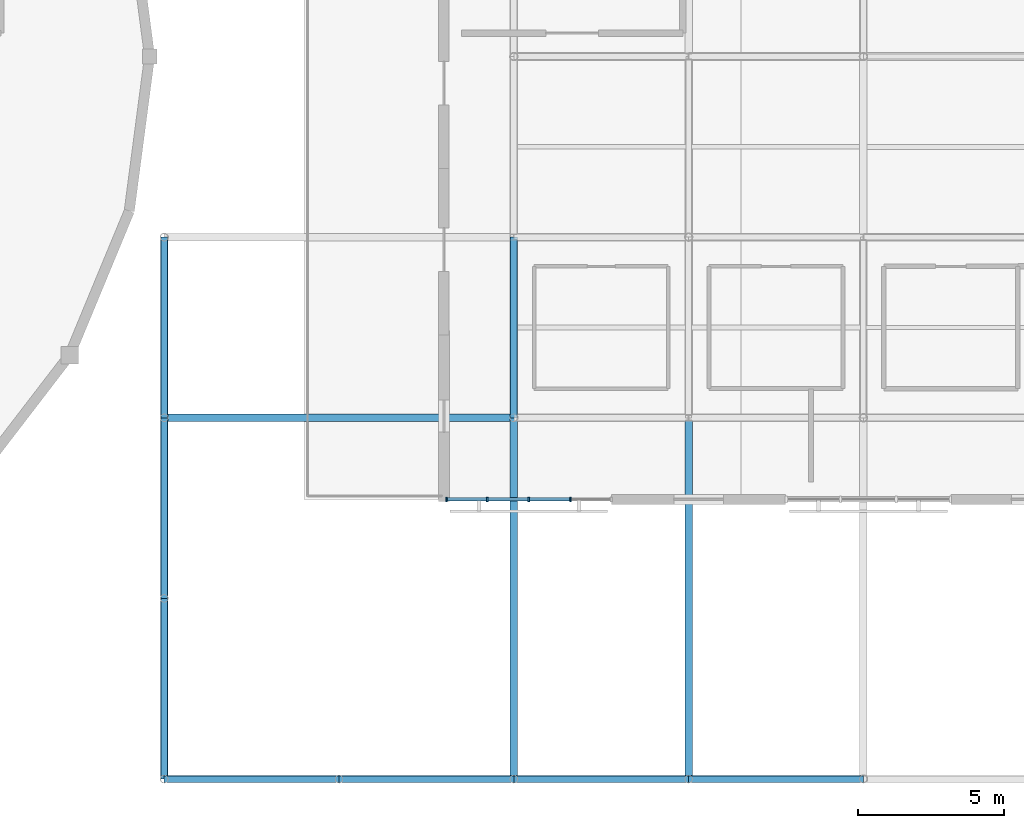
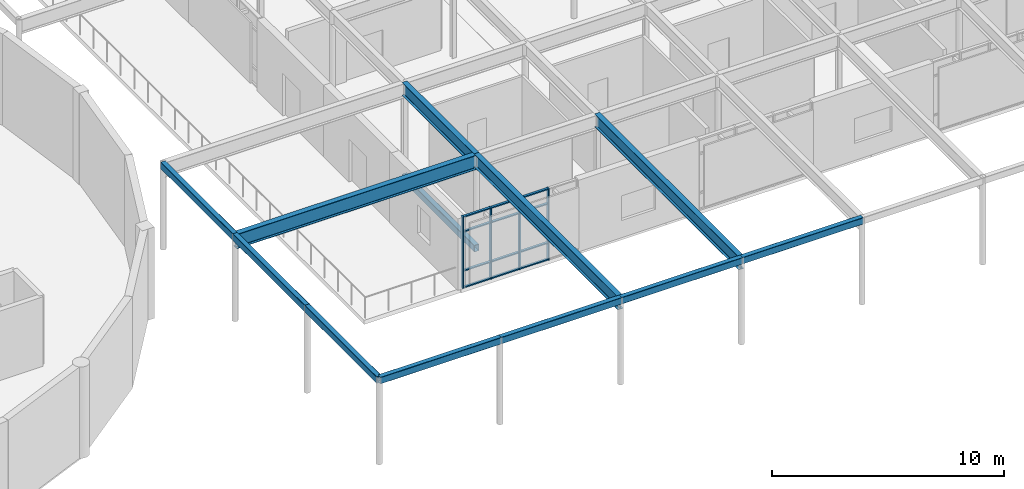
# One storey, part 21 of 48: 16 members, 12 beams, 1 element without a shape of its own.
"""IFC4 building model written with IfcOpenShell, lengths in metres."""

from ifc_helpers import new_model, si_unit, direction, frame, origin, origin_2d, place, context, subcontext, project, spatial, rectangle, hollow_rectangle, i_section, extrude, material, layer, layer_set, material_profile, profile_set, type_object, element, aggregate, save


model = new_model("IFC4")

# Units and contexts
model_context = context("Model", 3, precision=1e-05, world=origin(), true_north=direction((0.0, 1.0)))
body_context = subcontext(model_context, "Body", "Model", "MODEL_VIEW")
ifc_project = project(units=[si_unit("LENGTHUNIT", "METRE"), si_unit("AREAUNIT", "SQUARE_METRE"), si_unit("VOLUMEUNIT", "CUBIC_METRE"), si_unit("PLANEANGLEUNIT", "RADIAN"), si_unit("MASSUNIT", "GRAM", prefix="KILO")], contexts=[model_context])

# Site, building, storey
site_placement = place(None, origin())
site = spatial("IfcSite", under=ifc_project, at=site_placement, CompositionType="ELEMENT")
building_placement = place(site_placement, origin())
building = spatial("IfcBuilding", under=site, at=building_placement, Name="Mirzam Square Science Centre", CompositionType="ELEMENT")
storey_placement = place(building_placement, frame((0.0, 0.0, 20.39990234375)))
storey = spatial("IfcBuildingStorey", under=building, at=storey_placement, Name="L04", CompositionType="ELEMENT", Elevation=20.39990234375)

# Beams
ifc_material_1 = material(Name="Steel S355", Category="steel")
ifc_material_profile_1 = material_profile(ifc_material_1, i_section(OverallWidth=0.25439453125, OverallDepth=0.6875, WebThickness=0.01318359375, FlangeThickness=0.02099609375, FilletRadius=0.01513671875, at=origin_2d()), Name="686x254x152UB")
ifc_profile_set_1 = profile_set([ifc_material_profile_1], Name="Steel S355")
beam_type_1 = type_object("IfcBeamType", Name="BM-UB686", PredefinedType="BEAM", material=ifc_profile_set_1)
beam_1_placement = place(storey_placement, frame((114.0, 37.199951171875, 4.226318359375), z_axis=(0.0, 1.0, 0.0), x_axis=(-1.0, 0.0, 0.0)))
element("IfcBeam", 1, at=beam_1_placement, inside=storey, type_object=beam_type_1, Name="Parasol roof girder X20 Y7-9", PredefinedType="BEAM", context=body_context, shape_type="SweptSolid", body=[
    extrude(i_section(OverallWidth=0.25439453125, OverallDepth=0.6875, WebThickness=0.01318359375, FlangeThickness=0.02099609375, FilletRadius=0.01513671875, at=origin_2d()), origin(), (0.0, 0.0, 1.0), 12.400146484375),
])
beam_2_placement = place(storey_placement, frame((114.0, 49.60009765625, 4.226318359375), z_axis=(0.0, 1.0, 0.0), x_axis=(-1.0, 0.0, 0.0)))
element("IfcBeam", 2, at=beam_2_placement, inside=storey, type_object=beam_type_1, Name="Parasol roof girder X20 Y9-10", PredefinedType="BEAM", context=body_context, shape_type="SweptSolid", body=[
    extrude(i_section(OverallWidth=0.25439453125, OverallDepth=0.6875, WebThickness=0.01318359375, FlangeThickness=0.02099609375, FilletRadius=0.01513671875, at=origin_2d()), origin(), (0.0, 0.0, 1.0), 6.199951171875),
])
beam_3_placement = place(storey_placement, frame((120.0, 37.199951171875, 4.226318359375), z_axis=(0.0, 1.0, 0.0), x_axis=(-1.0, 0.0, 0.0)))
element("IfcBeam", 3, at=beam_3_placement, inside=storey, type_object=beam_type_1, Name="Parasol roof girder X21 Y7-9", PredefinedType="BEAM", context=body_context, shape_type="SweptSolid", body=[
    extrude(i_section(OverallWidth=0.25439453125, OverallDepth=0.6875, WebThickness=0.01318359375, FlangeThickness=0.02099609375, FilletRadius=0.01513671875, at=origin_2d()), origin(), (0.0, 0.0, 1.0), 12.400146484375),
])
ifc_material_profile_2 = material_profile(ifc_material_1, i_section(OverallWidth=0.2666015625, OverallDepth=0.76220703125, WebThickness=0.014404296875, FlangeThickness=0.021484375, FilletRadius=0.0166015625, at=origin_2d()), Name="762x267x173UB")
ifc_profile_set_2 = profile_set([ifc_material_profile_2], Name="Steel S355")
beam_type_2 = type_object("IfcBeamType", Name="BM-UB762", PredefinedType="BEAM", material=ifc_profile_set_2)
beam_4_placement = place(storey_placement, frame((102.0, 49.60009765625, 4.18896484375), z_axis=(1.0, 0.0, 0.0), x_axis=(0.0, 1.0, 0.0)))
element("IfcBeam", 4, at=beam_4_placement, inside=storey, type_object=beam_type_2, Name="Parasol roof girder Y9 X18-20", PredefinedType="BEAM", context=body_context, shape_type="SweptSolid", body=[
    extrude(i_section(OverallWidth=0.2666015625, OverallDepth=0.76220703125, WebThickness=0.014404296875, FlangeThickness=0.021484375, FilletRadius=0.0166015625, at=origin_2d()), origin(), (0.0, 0.0, 1.0), 12.0),
])

# Curtain wall, members
ifc_material_2 = material(Name="Anodised Aluminium and Low-E Solar Glass", Category="aluminium")
ifc_layer = layer(ifc_material_2, 0.159912109375)
ifc_layer_set = layer_set([ifc_layer], Name="CW-COURT-B")
curtain_wall_type = type_object("IfcCurtainWallType", Name="CW-COURT-B", PredefinedType="USERDEFINED", material=ifc_layer_set)
curtain_wall_placement = place(storey_placement, origin())
curtain_wall = element("IfcCurtainWall", 5, at=curtain_wall_placement, inside=storey, type_object=curtain_wall_type, Name="L04 unitised curtain wall 146", ObjectType="UNITISED CURTAIN WALL", PredefinedType="USERDEFINED")
ifc_material_3 = material(Name="Anodised Architectural Aluminium 6063-T6", Category="aluminium")
ifc_material_profile_3 = material_profile(ifc_material_3, rectangle(XDim=0.06005859375, YDim=0.159912109375, at=origin_2d()), Name="ALU-MULL-160x60x4")
ifc_profile_set_3 = profile_set([ifc_material_profile_3], Name="Anodised Architectural Aluminium 6063-T6")
member_type_1 = type_object("IfcMemberType", Name="CWM-160", PredefinedType="MULLION", material=ifc_profile_set_3)
member_1_placement = place(storey_placement, frame((111.68505859375, 46.800048828125, 0.0), z_axis=(0.0, 0.0, 1.0), x_axis=(1.0, 0.0, 0.0)))
member_1 = element("IfcMember", 6, at=member_1_placement, type_object=member_type_1, Name="CW-04 mullion 1", PredefinedType="MULLION", context=body_context, shape_type="SweptSolid", body=[
    extrude(rectangle(XDim=0.06005859375, YDim=0.159912109375, at=origin_2d()), origin(), (0.0, 0.0, 1.0), 3.760009765625),
])
member_2_placement = place(storey_placement, frame((113.084716796875, 46.800048828125, 0.0), z_axis=(0.0, 0.0, 1.0), x_axis=(1.0, 0.0, 0.0)))
member_2 = element("IfcMember", 7, at=member_2_placement, type_object=member_type_1, Name="CW-04 mullion 2", PredefinedType="MULLION", context=body_context, shape_type="SweptSolid", body=[
    extrude(rectangle(XDim=0.06005859375, YDim=0.159912109375, at=origin_2d()), origin(), (0.0, 0.0, 1.0), 3.760009765625),
])
member_3_placement = place(storey_placement, frame((114.514404296875, 46.800048828125, 0.0), z_axis=(0.0, 0.0, 1.0), x_axis=(1.0, 0.0, 0.0)))
member_3 = element("IfcMember", 8, at=member_3_placement, type_object=member_type_1, Name="CW-04 mullion 3", PredefinedType="MULLION", context=body_context, shape_type="SweptSolid", body=[
    extrude(rectangle(XDim=0.06005859375, YDim=0.159912109375, at=origin_2d()), origin(), (0.0, 0.0, 1.0), 3.760009765625),
])
member_4_placement = place(storey_placement, frame((115.94384765625, 46.800048828125, 0.0), z_axis=(0.0, 0.0, 1.0), x_axis=(1.0, 0.0, 0.0)))
member_4 = element("IfcMember", 9, at=member_4_placement, type_object=member_type_1, Name="CW-04 mullion 4", PredefinedType="MULLION", context=body_context, shape_type="SweptSolid", body=[
    extrude(rectangle(XDim=0.06005859375, YDim=0.159912109375, at=origin_2d()), origin(), (0.0, 0.0, 1.0), 3.760009765625),
])
ifc_material_profile_4 = material_profile(ifc_material_3, rectangle(XDim=0.1201171875, YDim=0.06005859375, at=origin_2d()), Name="ALU-TRAN-120x60x4")
ifc_profile_set_4 = profile_set([ifc_material_profile_4], Name="Anodised Architectural Aluminium 6063-T6")
member_type_2 = type_object("IfcMemberType", Name="CWT-120", PredefinedType="USERDEFINED", material=ifc_profile_set_4)
member_5_placement = place(storey_placement, frame((111.715087890625, 46.800048828125, 0.030029296875), z_axis=(1.0, 0.0, 0.0), x_axis=(0.0, 1.0, 0.0)))
member_5 = element("IfcMember", 10, at=member_5_placement, type_object=member_type_2, Name="CW-04 transom 1.1", ObjectType="TRANSOM", PredefinedType="USERDEFINED", context=body_context, shape_type="SweptSolid", body=[
    extrude(rectangle(XDim=0.1201171875, YDim=0.06005859375, at=origin_2d()), origin(), (0.0, 0.0, 1.0), 1.339599609375),
])
member_6_placement = place(storey_placement, frame((111.715087890625, 46.800048828125, 0.900146484375), z_axis=(1.0, 0.0, 0.0), x_axis=(0.0, 1.0, 0.0)))
member_6 = element("IfcMember", 11, at=member_6_placement, type_object=member_type_2, Name="CW-04 transom 1.2", ObjectType="TRANSOM", PredefinedType="USERDEFINED", context=body_context, shape_type="SweptSolid", body=[
    extrude(rectangle(XDim=0.1201171875, YDim=0.06005859375, at=origin_2d()), origin(), (0.0, 0.0, 1.0), 1.339599609375),
])
member_7_placement = place(storey_placement, frame((111.715087890625, 46.800048828125, 2.960205078125), z_axis=(1.0, 0.0, 0.0), x_axis=(0.0, 1.0, 0.0)))
member_7 = element("IfcMember", 12, at=member_7_placement, type_object=member_type_2, Name="CW-04 transom 1.3", ObjectType="TRANSOM", PredefinedType="USERDEFINED", context=body_context, shape_type="SweptSolid", body=[
    extrude(rectangle(XDim=0.1201171875, YDim=0.06005859375, at=origin_2d()), origin(), (0.0, 0.0, 1.0), 1.339599609375),
])
member_8_placement = place(storey_placement, frame((111.715087890625, 46.800048828125, 3.72998046875), z_axis=(1.0, 0.0, 0.0), x_axis=(0.0, 1.0, 0.0)))
member_8 = element("IfcMember", 13, at=member_8_placement, type_object=member_type_2, Name="CW-04 transom 1.4", ObjectType="TRANSOM", PredefinedType="USERDEFINED", context=body_context, shape_type="SweptSolid", body=[
    extrude(rectangle(XDim=0.1201171875, YDim=0.06005859375, at=origin_2d()), origin(), (0.0, 0.0, 1.0), 1.339599609375),
])
member_9_placement = place(storey_placement, frame((113.11474609375, 46.800048828125, 0.030029296875), z_axis=(1.0, 0.0, 0.0), x_axis=(0.0, 1.0, 0.0)))
member_9 = element("IfcMember", 14, at=member_9_placement, type_object=member_type_2, Name="CW-04 transom 2.1", ObjectType="TRANSOM", PredefinedType="USERDEFINED", context=body_context, shape_type="SweptSolid", body=[
    extrude(rectangle(XDim=0.1201171875, YDim=0.06005859375, at=origin_2d()), origin(), (0.0, 0.0, 1.0), 1.36962890625),
])
member_10_placement = place(storey_placement, frame((113.11474609375, 46.800048828125, 0.900146484375), z_axis=(1.0, 0.0, 0.0), x_axis=(0.0, 1.0, 0.0)))
member_10 = element("IfcMember", 15, at=member_10_placement, type_object=member_type_2, Name="CW-04 transom 2.2", ObjectType="TRANSOM", PredefinedType="USERDEFINED", context=body_context, shape_type="SweptSolid", body=[
    extrude(rectangle(XDim=0.1201171875, YDim=0.06005859375, at=origin_2d()), origin(), (0.0, 0.0, 1.0), 1.36962890625),
])
member_11_placement = place(storey_placement, frame((113.11474609375, 46.800048828125, 2.960205078125), z_axis=(1.0, 0.0, 0.0), x_axis=(0.0, 1.0, 0.0)))
member_11 = element("IfcMember", 16, at=member_11_placement, type_object=member_type_2, Name="CW-04 transom 2.3", ObjectType="TRANSOM", PredefinedType="USERDEFINED", context=body_context, shape_type="SweptSolid", body=[
    extrude(rectangle(XDim=0.1201171875, YDim=0.06005859375, at=origin_2d()), origin(), (0.0, 0.0, 1.0), 1.36962890625),
])
member_12_placement = place(storey_placement, frame((113.11474609375, 46.800048828125, 3.72998046875), z_axis=(1.0, 0.0, 0.0), x_axis=(0.0, 1.0, 0.0)))
member_12 = element("IfcMember", 17, at=member_12_placement, type_object=member_type_2, Name="CW-04 transom 2.4", ObjectType="TRANSOM", PredefinedType="USERDEFINED", context=body_context, shape_type="SweptSolid", body=[
    extrude(rectangle(XDim=0.1201171875, YDim=0.06005859375, at=origin_2d()), origin(), (0.0, 0.0, 1.0), 1.36962890625),
])
member_13_placement = place(storey_placement, frame((114.544189453125, 46.800048828125, 0.030029296875), z_axis=(1.0, 0.0, 0.0), x_axis=(0.0, 1.0, 0.0)))
member_13 = element("IfcMember", 18, at=member_13_placement, type_object=member_type_2, Name="CW-04 transom 3.1", ObjectType="TRANSOM", PredefinedType="USERDEFINED", context=body_context, shape_type="SweptSolid", body=[
    extrude(rectangle(XDim=0.1201171875, YDim=0.06005859375, at=origin_2d()), origin(), (0.0, 0.0, 1.0), 1.369873046875),
])
member_14_placement = place(storey_placement, frame((114.544189453125, 46.800048828125, 0.900146484375), z_axis=(1.0, 0.0, 0.0), x_axis=(0.0, 1.0, 0.0)))
member_14 = element("IfcMember", 19, at=member_14_placement, type_object=member_type_2, Name="CW-04 transom 3.2", ObjectType="TRANSOM", PredefinedType="USERDEFINED", context=body_context, shape_type="SweptSolid", body=[
    extrude(rectangle(XDim=0.1201171875, YDim=0.06005859375, at=origin_2d()), origin(), (0.0, 0.0, 1.0), 1.369873046875),
])
member_15_placement = place(storey_placement, frame((114.544189453125, 46.800048828125, 2.960205078125), z_axis=(1.0, 0.0, 0.0), x_axis=(0.0, 1.0, 0.0)))
member_15 = element("IfcMember", 20, at=member_15_placement, type_object=member_type_2, Name="CW-04 transom 3.3", ObjectType="TRANSOM", PredefinedType="USERDEFINED", context=body_context, shape_type="SweptSolid", body=[
    extrude(rectangle(XDim=0.1201171875, YDim=0.06005859375, at=origin_2d()), origin(), (0.0, 0.0, 1.0), 1.369873046875),
])
member_16_placement = place(storey_placement, frame((114.544189453125, 46.800048828125, 3.72998046875), z_axis=(1.0, 0.0, 0.0), x_axis=(0.0, 1.0, 0.0)))
member_16 = element("IfcMember", 21, at=member_16_placement, type_object=member_type_2, Name="CW-04 transom 3.4", ObjectType="TRANSOM", PredefinedType="USERDEFINED", context=body_context, shape_type="SweptSolid", body=[
    extrude(rectangle(XDim=0.1201171875, YDim=0.06005859375, at=origin_2d()), origin(), (0.0, 0.0, 1.0), 1.369873046875),
])
aggregate(curtain_wall, [member_1, member_2, member_3, member_4, member_5, member_6, member_7, member_8, member_9, member_10, member_11, member_12, member_13, member_14, member_15, member_16])

# Beams
ifc_material_profile_5 = material_profile(ifc_material_1, hollow_rectangle(XDim=0.25, YDim=0.35009765625, WallThickness=0.012451171875, InnerFilletRadius=0.012451171875, OuterFilletRadius=0.02490234375, at=origin_2d()), Name="350x250x12.5RHS")
ifc_profile_set_5 = profile_set([ifc_material_profile_5], Name="Steel S355")
beam_type_3 = type_object("IfcBeamType", Name="SP-RHS350", PredefinedType="SPANDREL", material=ifc_profile_set_5)
beam_5_placement = place(storey_placement, frame((114.0, 49.60009765625, -0.4248046875), z_axis=(0.0, 1.0, 0.0), x_axis=(-1.0, 0.0, 0.0)))
element("IfcBeam", 22, at=beam_5_placement, inside=storey, type_object=beam_type_3, Name="L04 girder Y20-9", PredefinedType="SPANDREL", context=body_context, shape_type="SweptSolid", body=[
    extrude(hollow_rectangle(XDim=0.25, YDim=0.35009765625, WallThickness=0.012451171875, InnerFilletRadius=0.012451171875, OuterFilletRadius=0.02490234375, at=origin_2d()), origin(), (0.0, 0.0, 1.0), 6.199951171875),
])
for number, where, z_axis, x_axis, name in (
    (23, (102.0, 37.199951171875, 4.39501953125), (1.0, 0.0, 0.0), (0.0, 1.0, 0.0), "Parasol S fascia beam 18"),
    (24, (108.0, 37.199951171875, 4.39501953125), (1.0, 0.0, 0.0), (0.0, 1.0, 0.0), "Parasol S fascia beam 19"),
    (25, (114.0, 37.199951171875, 4.39501953125), (1.0, 0.0, 0.0), (0.0, 1.0, 0.0), "Parasol S fascia beam 20"),
    (26, (120.0, 37.199951171875, 4.39501953125), (1.0, 0.0, 0.0), (0.0, 1.0, 0.0), "Parasol S fascia beam 21"),
):
    element("IfcBeam", number, at=place(storey_placement, frame(where, z_axis=z_axis, x_axis=x_axis)), inside=storey, type_object=beam_type_3, Name=name, PredefinedType="SPANDREL", context=body_context, shape_type="SweptSolid", body=[
        extrude(hollow_rectangle(XDim=0.25, YDim=0.35009765625, WallThickness=0.012451171875, InnerFilletRadius=0.012451171875, OuterFilletRadius=0.02490234375, at=origin_2d()), origin(), (0.0, 0.0, 1.0), 6.0),
    ])
beam_6_placement = place(storey_placement, frame((102.0, 37.199951171875, 4.39501953125), z_axis=(0.0, 1.0, 0.0), x_axis=(-1.0, 0.0, 0.0)))
element("IfcBeam", 27, at=beam_6_placement, inside=storey, type_object=beam_type_3, Name="Parasol W fascia beam 7", PredefinedType="SPANDREL", context=body_context, shape_type="SweptSolid", body=[
    extrude(hollow_rectangle(XDim=0.25, YDim=0.35009765625, WallThickness=0.012451171875, InnerFilletRadius=0.012451171875, OuterFilletRadius=0.02490234375, at=origin_2d()), origin(), (0.0, 0.0, 1.0), 6.199951171875),
])
beam_7_placement = place(storey_placement, frame((102.0, 43.39990234375, 4.39501953125), z_axis=(0.0, 1.0, 0.0), x_axis=(-1.0, 0.0, 0.0)))
element("IfcBeam", 28, at=beam_7_placement, inside=storey, type_object=beam_type_3, Name="Parasol W fascia beam 8", PredefinedType="SPANDREL", context=body_context, shape_type="SweptSolid", body=[
    extrude(hollow_rectangle(XDim=0.25, YDim=0.35009765625, WallThickness=0.012451171875, InnerFilletRadius=0.012451171875, OuterFilletRadius=0.02490234375, at=origin_2d()), origin(), (0.0, 0.0, 1.0), 6.2001953125),
])
beam_8_placement = place(storey_placement, frame((102.0, 49.60009765625, 4.39501953125), z_axis=(0.0, 1.0, 0.0), x_axis=(-1.0, 0.0, 0.0)))
element("IfcBeam", 29, at=beam_8_placement, inside=storey, type_object=beam_type_3, Name="Parasol W fascia beam 9", PredefinedType="SPANDREL", context=body_context, shape_type="SweptSolid", body=[
    extrude(hollow_rectangle(XDim=0.25, YDim=0.35009765625, WallThickness=0.012451171875, InnerFilletRadius=0.012451171875, OuterFilletRadius=0.02490234375, at=origin_2d()), origin(), (0.0, 0.0, 1.0), 6.199951171875),
])

save(model, "model.ifc")
